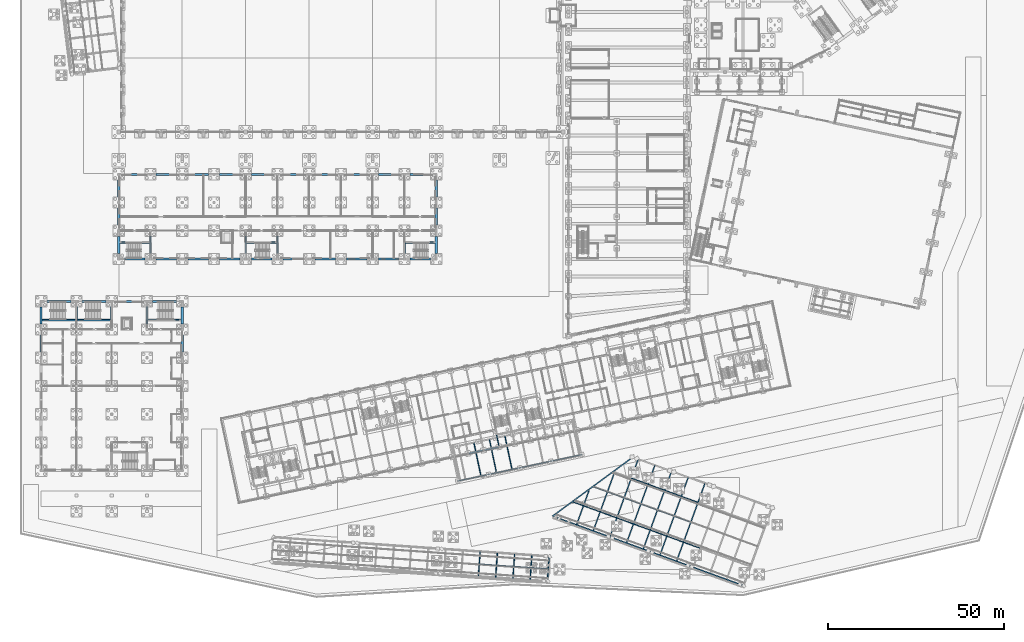
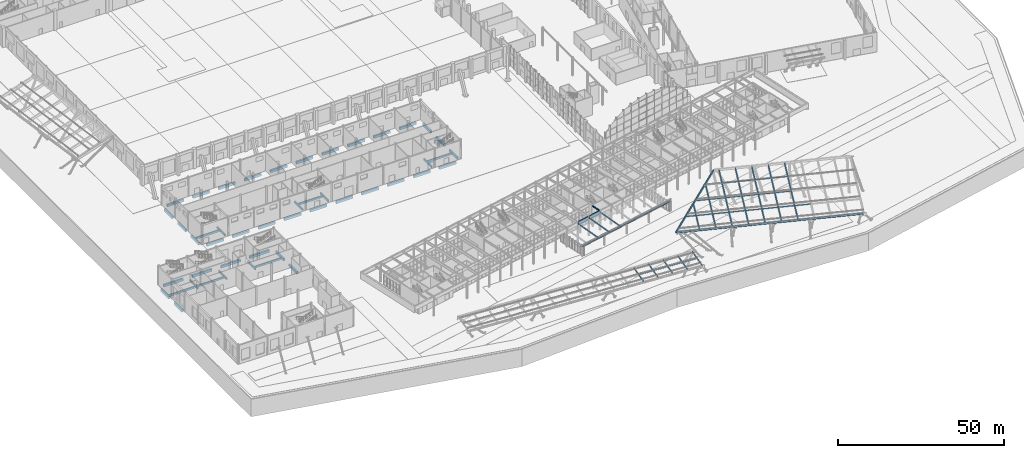
# One storey, part 75 of 239: 90 beams.
"""IFC4 building model written with IfcOpenShell, lengths in metres."""

from ifc_helpers import new_model, si_unit, direction, frame, origin, origin_2d, place, context, subcontext, project, spatial, rectangle, hollow_rectangle, i_section, extrude, material, material_profile, profile_set, type_object, element, save


model = new_model("IFC4")

# Units and contexts
model_context = context("Model", 3, precision=1e-05, world=origin(), true_north=direction((0.0, 1.0)))
body_context = subcontext(model_context, "Body", "Model", "MODEL_VIEW")
ifc_project = project(units=[si_unit("LENGTHUNIT", "METRE"), si_unit("AREAUNIT", "SQUARE_METRE"), si_unit("VOLUMEUNIT", "CUBIC_METRE"), si_unit("PLANEANGLEUNIT", "RADIAN"), si_unit("MASSUNIT", "GRAM", prefix="KILO")], contexts=[model_context])

# Site, building, storey
site_placement = place(None, origin())
site = spatial("IfcSite", under=ifc_project, at=site_placement, CompositionType="ELEMENT")
building_placement = place(site_placement, origin())
building = spatial("IfcBuilding", under=site, at=building_placement, Name="Okhra Congress Centre", CompositionType="ELEMENT")
storey_placement = place(building_placement, origin())
storey = spatial("IfcBuildingStorey", under=building, at=storey_placement, Name="L00", CompositionType="ELEMENT", Elevation=0.0)

# Beams
ifc_material_1 = material(Name="Steel S355J2H", Category="steel")
ifc_material_profile_1 = material_profile(ifc_material_1, hollow_rectangle(XDim=0.300048828125, YDim=0.60009765625, WallThickness=0.01611328125, at=origin_2d()), Name="RHS 600x300x16")
ifc_profile_set_1 = profile_set([ifc_material_profile_1], Name="Steel S355J2H")
beam_type_1 = type_object("IfcBeamType", Name="Canopy edge beam RHS 600x300x16", PredefinedType="BEAM", material=ifc_profile_set_1)
beam_1_placement = place(storey_placement, frame((151.196044921875, 23.025634765625, 5.518310546875), z_axis=(0.939693391825, -0.342018024906, 0.0), x_axis=(0.342018024906, 0.939693391825, 0.0)))
element("IfcBeam", 1, at=beam_1_placement, inside=storey, type_object=beam_type_1, Name="Entrance canopy edge beam S", PredefinedType="BEAM", context=body_context, shape_type="SweptSolid", body=[
    extrude(hollow_rectangle(XDim=0.300048828125, YDim=0.60009765625, WallThickness=0.01611328125, at=origin_2d()), origin(), (0.0, 0.0, 1.0), 57.173095703125),
])
beam_2_placement = place(storey_placement, frame((150.99853515625, 23.09765625, 5.527587890625), z_axis=(0.794522296074, 0.583844595138, 0.166912581218), x_axis=(-0.592151474561, 0.805826675642, 0.0)))
element("IfcBeam", 2, at=beam_2_placement, inside=storey, type_object=beam_type_1, Name="Entrance canopy raking edge beam", PredefinedType="BEAM", context=body_context, shape_type="SweptSolid", body=[
    extrude(hollow_rectangle(XDim=0.300048828125, YDim=0.60009765625, WallThickness=0.01611328125, at=origin_2d()), origin(), (0.0, 0.0, 1.0), 28.645263671875),
])
ifc_material_profile_2 = material_profile(ifc_material_1, hollow_rectangle(XDim=0.199951171875, YDim=0.39990234375, WallThickness=0.012451171875, at=origin_2d()), Name="RHS 400x200x12.5")
ifc_profile_set_2 = profile_set([ifc_material_profile_2], Name="Steel S355J2H")
beam_type_2 = type_object("IfcBeamType", Name="Canopy primary beam RHS 400x200x12.5", PredefinedType="BEAM", material=ifc_profile_set_2)
for number, where, z_axis, x_axis, name in (
    (3, (129.98046875, 6.191650390625, 4.94384765625), (0.069239691269, 0.990131185757, 0.121844573715), (-0.997563841748, 0.069759455532, 0.0), "Covered promenade primary beam 13"),
    (4, (134.868408203125, 5.849853515625, 4.94384765625), (0.069239691269, 0.990131185757, 0.121844573715), (-0.997563841748, 0.069759455532, 0.0), "Covered promenade primary beam 14"),
    (5, (139.756591796875, 5.508056640625, 4.94384765625), (0.069239691269, 0.990131185757, 0.121844573715), (-0.997563841748, 0.069759455532, 0.0), "Covered promenade primary beam 15"),
    (6, (144.64453125, 5.166259765625, 4.94384765625), (0.069239691269, 0.990131185757, 0.121844573715), (-0.997563841748, 0.069759455532, 0.0), "Covered promenade primary beam 16"),
    (7, (149.53271484375, 4.824462890625, 4.94384765625), (0.069239691269, 0.990131185757, 0.121844573715), (-0.997563841748, 0.069759455532, 0.0), "Covered promenade primary beam 17"),
):
    element("IfcBeam", number, at=place(storey_placement, frame(where, z_axis=z_axis, x_axis=x_axis)), inside=storey, type_object=beam_type_2, Name=name, PredefinedType="BEAM", context=body_context, shape_type="SweptSolid", body=[
        extrude(hollow_rectangle(XDim=0.199951171875, YDim=0.39990234375, WallThickness=0.012451171875, at=origin_2d()), origin(), (0.0, 0.0, 1.0), 6.780517578125),
    ])
ifc_material_profile_3 = material_profile(ifc_material_1, hollow_rectangle(XDim=0.300048828125, YDim=0.800048828125, WallThickness=0.02001953125, at=origin_2d()), Name="RHS 800x300x20")
ifc_profile_set_3 = profile_set([ifc_material_profile_3], Name="Steel S355J2H")
beam_type_3 = type_object("IfcBeamType", Name="Canopy primary beam RHS 800x300x20", PredefinedType="BEAM", material=ifc_profile_set_3)
beam_3_placement = place(storey_placement, frame((157.84326171875, 20.776611328125, 5.47314453125), z_axis=(0.335143071019, 0.92083160216, 0.199369712875), x_axis=(-0.939696629579, 0.342009129057, 0.0)))
element("IfcBeam", 8, at=beam_3_placement, inside=storey, type_object=beam_type_3, Name="Entrance canopy primary beam 1", PredefinedType="BEAM", context=body_context, shape_type="SweptSolid", body=[
    extrude(hollow_rectangle(XDim=0.300048828125, YDim=0.800048828125, WallThickness=0.02001953125, at=origin_2d()), origin(), (0.0, 0.0, 1.0), 10.2998046875),
])
beam_4_placement = place(storey_placement, frame((162.570556640625, 19.05615234375, 5.47314453125), z_axis=(0.335153136343, 0.920826833625, 0.199374817055), x_axis=(-0.939692759196, 0.342019763046, 0.0)))
element("IfcBeam", 9, at=beam_4_placement, inside=storey, type_object=beam_type_3, Name="Entrance canopy primary beam 2", PredefinedType="BEAM", context=body_context, shape_type="SweptSolid", body=[
    extrude(hollow_rectangle(XDim=0.300048828125, YDim=0.800048828125, WallThickness=0.02001953125, at=origin_2d()), origin(), (0.0, 0.0, 1.0), 18.00048828125),
])
beam_5_placement = place(storey_placement, frame((167.2978515625, 17.33544921875, 5.47314453125), z_axis=(0.335153265181, 0.920827738927, 0.199370419225), x_axis=(-0.93969282501, 0.342019582225, 0.0)))
element("IfcBeam", 10, at=beam_5_placement, inside=storey, type_object=beam_type_3, Name="Entrance canopy primary beam 3", PredefinedType="BEAM", context=body_context, shape_type="SweptSolid", body=[
    extrude(hollow_rectangle(XDim=0.300048828125, YDim=0.800048828125, WallThickness=0.02001953125, at=origin_2d()), origin(), (0.0, 0.0, 1.0), 23.65478515625),
])
beam_6_placement = place(storey_placement, frame((172.025390625, 15.61474609375, 5.47314453125), z_axis=(0.335150079963, 0.920829308481, 0.199368524456), x_axis=(-0.939694057048, 0.342016197204, 0.0)))
element("IfcBeam", 11, at=beam_6_placement, inside=storey, type_object=beam_type_3, Name="Entrance canopy primary beam 4", PredefinedType="BEAM", context=body_context, shape_type="SweptSolid", body=[
    extrude(hollow_rectangle(XDim=0.300048828125, YDim=0.800048828125, WallThickness=0.02001953125, at=origin_2d()), origin(), (0.0, 0.0, 1.0), 23.655029296875),
])
for number, where, z_axis, x_axis, name in (
    (12, (176.752685546875, 13.894287109375, 5.47314453125), (0.335153265181, 0.920827738927, 0.199370419225), (-0.93969282501, 0.342019582225, 0.0), "Entrance canopy primary beam 5"),
    (13, (181.47998046875, 12.173583984375, 5.47314453125), (0.335153265181, 0.920827738927, 0.199370419225), (-0.93969282501, 0.342019582225, 0.0), "Entrance canopy primary beam 6"),
):
    element("IfcBeam", number, at=place(storey_placement, frame(where, z_axis=z_axis, x_axis=x_axis)), inside=storey, type_object=beam_type_3, Name=name, PredefinedType="BEAM", context=body_context, shape_type="SweptSolid", body=[
        extrude(hollow_rectangle(XDim=0.300048828125, YDim=0.800048828125, WallThickness=0.02001953125, at=origin_2d()), origin(), (0.0, 0.0, 1.0), 23.65478515625),
    ])
beam_7_placement = place(storey_placement, frame((186.20751953125, 10.452880859375, 5.47314453125), z_axis=(0.335150079963, 0.920829308481, 0.199368524456), x_axis=(-0.939694057048, 0.342016197204, 0.0)))
element("IfcBeam", 14, at=beam_7_placement, inside=storey, type_object=beam_type_3, Name="Entrance canopy primary beam 7", PredefinedType="BEAM", context=body_context, shape_type="SweptSolid", body=[
    extrude(hollow_rectangle(XDim=0.300048828125, YDim=0.800048828125, WallThickness=0.02001953125, at=origin_2d()), origin(), (0.0, 0.0, 1.0), 23.655029296875),
])
ifc_material_profile_4 = material_profile(ifc_material_1, hollow_rectangle(XDim=0.14990234375, YDim=0.300048828125, WallThickness=0.008056640625, at=origin_2d()), Name="RHS 300x150x8")
ifc_profile_set_4 = profile_set([ifc_material_profile_4], Name="Steel S355J2H")
beam_type_4 = type_object("IfcBeamType", Name="Canopy secondary beam RHS 300x150x8", PredefinedType="BEAM", material=ifc_profile_set_4)
beam_8_placement = place(storey_placement, frame((156.764892578125, 27.117919921875, 6.853515625), z_axis=(0.939684877283, -0.342041417677, 0.0), x_axis=(0.342041417677, 0.939684877283, 0.0)))
element("IfcBeam", 15, at=beam_8_placement, inside=storey, type_object=beam_type_4, Name="Entrance canopy secondary beam 1", PredefinedType="BEAM", context=body_context, shape_type="SweptSolid", body=[
    extrude(hollow_rectangle(XDim=0.14990234375, YDim=0.300048828125, WallThickness=0.008056640625, at=origin_2d()), origin(), (0.0, 0.0, 1.0), 3.022216796875),
])
for number, where, z_axis, x_axis, name in (
    (16, (159.905517578125, 25.974853515625, 6.853515625), (0.939695024692, -0.342013538577, 0.0), (0.342013538577, 0.939695024692, 0.0), "Entrance canopy secondary beam 2"),
    (17, (164.6328125, 24.254150390625, 6.853515625), (0.939701086749, -0.341996882388, 0.0), (0.341996882388, 0.939701086749, 0.0), "Entrance canopy secondary beam 3"),
):
    element("IfcBeam", number, at=place(storey_placement, frame(where, z_axis=z_axis, x_axis=x_axis)), inside=storey, type_object=beam_type_4, Name=name, PredefinedType="BEAM", context=body_context, shape_type="SweptSolid", body=[
        extrude(hollow_rectangle(XDim=0.14990234375, YDim=0.300048828125, WallThickness=0.008056640625, at=origin_2d()), origin(), (0.0, 0.0, 1.0), 4.710693359375),
    ])
beam_9_placement = place(storey_placement, frame((169.360107421875, 22.53369140625, 6.853515625), z_axis=(0.939684430498, -0.342042645118, 0.0), x_axis=(0.342042645118, 0.939684430498, 0.0)))
element("IfcBeam", 18, at=beam_9_placement, inside=storey, type_object=beam_type_4, Name="Entrance canopy secondary beam 4", PredefinedType="BEAM", context=body_context, shape_type="SweptSolid", body=[
    extrude(hollow_rectangle(XDim=0.14990234375, YDim=0.300048828125, WallThickness=0.008056640625, at=origin_2d()), origin(), (0.0, 0.0, 1.0), 4.7109375),
])
for number, where, z_axis, x_axis, name in (
    (19, (174.087646484375, 20.81298828125, 6.853515625), (0.939695024692, -0.342013538577, 0.0), (0.342013538577, 0.939695024692, 0.0), "Entrance canopy secondary beam 5"),
    (20, (178.81494140625, 19.09228515625, 6.853515625), (0.939701086749, -0.341996882388, 0.0), (0.341996882388, 0.939701086749, 0.0), "Entrance canopy secondary beam 6"),
):
    element("IfcBeam", number, at=place(storey_placement, frame(where, z_axis=z_axis, x_axis=x_axis)), inside=storey, type_object=beam_type_4, Name=name, PredefinedType="BEAM", context=body_context, shape_type="SweptSolid", body=[
        extrude(hollow_rectangle(XDim=0.14990234375, YDim=0.300048828125, WallThickness=0.008056640625, at=origin_2d()), origin(), (0.0, 0.0, 1.0), 4.710693359375),
    ])
beam_10_placement = place(storey_placement, frame((183.542236328125, 17.371826171875, 6.853515625), z_axis=(0.939684430498, -0.342042645118, 0.0), x_axis=(0.342042645118, 0.939684430498, 0.0)))
element("IfcBeam", 21, at=beam_10_placement, inside=storey, type_object=beam_type_4, Name="Entrance canopy secondary beam 7", PredefinedType="BEAM", context=body_context, shape_type="SweptSolid", body=[
    extrude(hollow_rectangle(XDim=0.14990234375, YDim=0.300048828125, WallThickness=0.008056640625, at=origin_2d()), origin(), (0.0, 0.0, 1.0), 4.7109375),
])
beam_11_placement = place(storey_placement, frame((188.269775390625, 15.651123046875, 6.853515625), z_axis=(0.939695024692, -0.342013538577, 0.0), x_axis=(0.342013538577, 0.939695024692, 0.0)))
element("IfcBeam", 22, at=beam_11_placement, inside=storey, type_object=beam_type_4, Name="Entrance canopy secondary beam 8", PredefinedType="BEAM", context=body_context, shape_type="SweptSolid", body=[
    extrude(hollow_rectangle(XDim=0.14990234375, YDim=0.300048828125, WallThickness=0.008056640625, at=origin_2d()), origin(), (0.0, 0.0, 1.0), 4.710693359375),
])
beam_12_placement = place(storey_placement, frame((162.575927734375, 31.387939453125, 8.07421875), z_axis=(0.939684327986, -0.342042926746, 0.0), x_axis=(0.342042926746, 0.939684327986, 0.0)))
element("IfcBeam", 23, at=beam_12_placement, inside=storey, type_object=beam_type_4, Name="Entrance canopy secondary beam 12", PredefinedType="BEAM", context=body_context, shape_type="SweptSolid", body=[
    extrude(hollow_rectangle(XDim=0.14990234375, YDim=0.300048828125, WallThickness=0.008056640625, at=origin_2d()), origin(), (0.0, 0.0, 1.0), 4.052734375),
])
for number, where, z_axis, x_axis, name in (
    (24, (166.684814453125, 29.892333984375, 8.07421875), (0.939701086749, -0.341996882388, 0.0), (0.341996882388, 0.939701086749, 0.0), "Entrance canopy secondary beam 13"),
    (25, (171.412353515625, 28.171875, 8.07421875), (0.939678366926, -0.342059302946, 0.0), (0.342059302946, 0.939678366926, 0.0), "Entrance canopy secondary beam 14"),
):
    element("IfcBeam", number, at=place(storey_placement, frame(where, z_axis=z_axis, x_axis=x_axis)), inside=storey, type_object=beam_type_4, Name=name, PredefinedType="BEAM", context=body_context, shape_type="SweptSolid", body=[
        extrude(hollow_rectangle(XDim=0.14990234375, YDim=0.300048828125, WallThickness=0.008056640625, at=origin_2d()), origin(), (0.0, 0.0, 1.0), 4.710693359375),
    ])
beam_13_placement = place(storey_placement, frame((176.1396484375, 26.451171875, 8.07421875), z_axis=(0.939684430498, -0.342042645118, 0.0), x_axis=(0.342042645118, 0.939684430498, 0.0)))
element("IfcBeam", 26, at=beam_13_placement, inside=storey, type_object=beam_type_4, Name="Entrance canopy secondary beam 15", PredefinedType="BEAM", context=body_context, shape_type="SweptSolid", body=[
    extrude(hollow_rectangle(XDim=0.14990234375, YDim=0.300048828125, WallThickness=0.008056640625, at=origin_2d()), origin(), (0.0, 0.0, 1.0), 4.7109375),
])
for number, where, z_axis, x_axis, name in (
    (27, (180.866943359375, 24.73046875, 8.07421875), (0.939701086749, -0.341996882388, 0.0), (0.341996882388, 0.939701086749, 0.0), "Entrance canopy secondary beam 16"),
    (28, (185.594482421875, 23.009765625, 8.07421875), (0.939695024692, -0.342013538577, 0.0), (0.342013538577, 0.939695024692, 0.0), "Entrance canopy secondary beam 17"),
    (29, (173.46435546875, 33.809814453125, 9.294921875), (0.939701086749, -0.341996882388, 0.0), (0.341996882388, 0.939701086749, 0.0), "Entrance canopy secondary beam 23"),
    (30, (178.19189453125, 32.08935546875, 9.294921875), (0.939678366926, -0.342059302946, 0.0), (0.342059302946, 0.939678366926, 0.0), "Entrance canopy secondary beam 24"),
    (31, (182.919189453125, 30.36865234375, 9.294921875), (0.939701086749, -0.341996882388, 0.0), (0.341996882388, 0.939701086749, 0.0), "Entrance canopy secondary beam 25"),
    (32, (187.646484375, 28.64794921875, 9.294921875), (0.939701086749, -0.341996882388, 0.0), (0.341996882388, 0.939701086749, 0.0), "Entrance canopy secondary beam 26"),
):
    element("IfcBeam", number, at=place(storey_placement, frame(where, z_axis=z_axis, x_axis=x_axis)), inside=storey, type_object=beam_type_4, Name=name, PredefinedType="BEAM", context=body_context, shape_type="SweptSolid", body=[
        extrude(hollow_rectangle(XDim=0.14990234375, YDim=0.300048828125, WallThickness=0.008056640625, at=origin_2d()), origin(), (0.0, 0.0, 1.0), 4.710693359375),
    ])
beam_14_placement = place(storey_placement, frame((130.324951171875, 9.540771484375, 5.399169921875), z_axis=(0.997564560272, -0.06974917985, 0.0), x_axis=(0.06974917985, 0.997564560272, 0.0)))
element("IfcBeam", 33, at=beam_14_placement, inside=storey, type_object=beam_type_4, Name="Covered promenade secondary beam 13", PredefinedType="BEAM", context=body_context, shape_type="SweptSolid", body=[
    extrude(hollow_rectangle(XDim=0.14990234375, YDim=0.300048828125, WallThickness=0.008056640625, at=origin_2d()), origin(), (0.0, 0.0, 1.0), 4.679931640625),
])
beam_15_placement = place(storey_placement, frame((135.212890625, 9.198974609375, 5.399169921875), z_axis=(0.997564814049, -0.069745550195, 0.0), x_axis=(0.069745550195, 0.997564814049, 0.0)))
element("IfcBeam", 34, at=beam_15_placement, inside=storey, type_object=beam_type_4, Name="Covered promenade secondary beam 14", PredefinedType="BEAM", context=body_context, shape_type="SweptSolid", body=[
    extrude(hollow_rectangle(XDim=0.14990234375, YDim=0.300048828125, WallThickness=0.008056640625, at=origin_2d()), origin(), (0.0, 0.0, 1.0), 4.68017578125),
])
beam_16_placement = place(storey_placement, frame((140.10107421875, 8.857177734375, 5.399169921875), z_axis=(0.997564560272, -0.06974917985, 0.0), x_axis=(0.06974917985, 0.997564560272, 0.0)))
element("IfcBeam", 35, at=beam_16_placement, inside=storey, type_object=beam_type_4, Name="Covered promenade secondary beam 15", PredefinedType="BEAM", context=body_context, shape_type="SweptSolid", body=[
    extrude(hollow_rectangle(XDim=0.14990234375, YDim=0.300048828125, WallThickness=0.008056640625, at=origin_2d()), origin(), (0.0, 0.0, 1.0), 4.679931640625),
])
beam_17_placement = place(storey_placement, frame((144.989013671875, 8.515380859375, 5.399169921875), z_axis=(0.997564814049, -0.069745550195, 0.0), x_axis=(0.069745550195, 0.997564814049, 0.0)))
element("IfcBeam", 36, at=beam_17_placement, inside=storey, type_object=beam_type_4, Name="Covered promenade secondary beam 16", PredefinedType="BEAM", context=body_context, shape_type="SweptSolid", body=[
    extrude(hollow_rectangle(XDim=0.14990234375, YDim=0.300048828125, WallThickness=0.008056640625, at=origin_2d()), origin(), (0.0, 0.0, 1.0), 4.68017578125),
])
ifc_material_2 = material(Name="Steel S355J2", Category="steel")
ifc_material_profile_5 = material_profile(ifc_material_2, i_section(OverallWidth=0.179931640625, OverallDepth=0.39990234375, WebThickness=0.008544921875, FlangeThickness=0.013427734375, FilletRadius=0.02099609375, at=origin_2d()), Name="IPE 400")
ifc_profile_set_5 = profile_set([ifc_material_profile_5], Name="Steel S355J2")
beam_type_5 = type_object("IfcBeamType", Name="Floor beam stub IPE 400", PredefinedType="BEAM", material=ifc_profile_set_5)
beam_18_placement = place(storey_placement, frame((135.797607421875, 42.91015625, 6.85009765625), z_axis=(-0.20785875582, 0.978158850918, 0.0), x_axis=(-0.978158850918, -0.20785875582, 0.0)))
element("IfcBeam", 37, at=beam_18_placement, inside=storey, type_object=beam_type_5, Name="Floor beam 17.1", PredefinedType="BEAM", context=body_context, shape_type="SweptSolid", body=[
    extrude(i_section(OverallWidth=0.179931640625, OverallDepth=0.39990234375, WebThickness=0.008544921875, FlangeThickness=0.013427734375, FilletRadius=0.02099609375, at=origin_2d()), origin(), (0.0, 0.0, 1.0), 3.1748046875),
])
ifc_material_profile_6 = material_profile(ifc_material_2, i_section(OverallWidth=0.39990234375, OverallDepth=1.199951171875, WebThickness=0.02490234375, FlangeThickness=0.050048828125, at=origin_2d()), Name="Plate girder 1200x400")
ifc_profile_set_6 = profile_set([ifc_material_profile_6], Name="Steel S355J2")
beam_type_6 = type_object("IfcBeamType", Name="Perimeter plate girder 1200x400", PredefinedType="BEAM", material=ifc_profile_set_6)
for number, where, z_axis, x_axis, name in (
    (38, (127.284423828125, 40.89599609375, 6.449951171875), (0.978142994281, 0.207933361295, 0.0), (-0.207933361295, 0.978142994281, 0.0), "Perimeter girder S13"),
    (39, (131.68603515625, 41.831787109375, 6.449951171875), (0.978155431297, 0.207874847504, 0.0), (-0.207874847504, 0.978155431297, 0.0), "Perimeter girder S14"),
):
    element("IfcBeam", number, at=place(storey_placement, frame(where, z_axis=z_axis, x_axis=x_axis)), inside=storey, type_object=beam_type_6, Name=name, PredefinedType="BEAM", context=body_context, shape_type="SweptSolid", body=[
        extrude(i_section(OverallWidth=0.39990234375, OverallDepth=1.199951171875, WebThickness=0.02490234375, FlangeThickness=0.050048828125, at=origin_2d()), origin(), (0.0, 0.0, 1.0), 3.991943359375),
    ])
ifc_material_profile_7 = material_profile(ifc_material_2, i_section(OverallWidth=0.300048828125, OverallDepth=0.2900390625, WebThickness=0.008544921875, FlangeThickness=0.013916015625, FilletRadius=0.027099609375, at=origin_2d()), Name="HE 300 A")
ifc_profile_set_7 = profile_set([ifc_material_profile_7], Name="Steel S355J2")
beam_type_7 = type_object("IfcBeamType", Name="Porch edge beam HE 300 A", PredefinedType="BEAM", material=ifc_profile_set_7)
beam_19_placement = place(storey_placement, frame((124.089599609375, 33.060546875, 3.6259765625), z_axis=(0.97814743953, 0.207912449222, 0.0), x_axis=(-0.207912449222, 0.97814743953, 0.0)))
element("IfcBeam", 40, at=beam_19_placement, inside=storey, type_object=beam_type_7, Name="Porch edge beam S", PredefinedType="BEAM", context=body_context, shape_type="SweptSolid", body=[
    extrude(i_section(OverallWidth=0.300048828125, OverallDepth=0.2900390625, WebThickness=0.008544921875, FlangeThickness=0.013916015625, FilletRadius=0.027099609375, at=origin_2d()), origin(), (0.0, 0.0, 1.0), 36.0),
])
ifc_material_profile_8 = material_profile(ifc_material_2, i_section(OverallWidth=0.179931640625, OverallDepth=0.39990234375, WebThickness=0.008544921875, FlangeThickness=0.013427734375, FilletRadius=0.02099609375, at=origin_2d()), Name="IPE 400")
ifc_profile_set_8 = profile_set([ifc_material_profile_8], Name="Steel S355J2")
beam_type_8 = type_object("IfcBeamType", Name="Porch roof beam IPE 400", PredefinedType="BEAM", material=ifc_profile_set_8)
for number, where, z_axis, x_axis, name in (
    (41, (130.660888671875, 34.61083984375, 3.57861328125), (-0.207624405442, 0.976807337082, 0.052340543433), (-0.978148090206, -0.207909388017, 0.0), "Porch roof beam 2"),
    (42, (135.062744140625, 35.54638671875, 3.57861328125), (-0.207649223999, 0.976802076571, 0.052340261558), (-0.978142808003, -0.207934237563, 0.0), "Porch roof beam 3"),
    (43, (139.46435546875, 36.48193359375, 3.57861328125), (-0.207624405442, 0.976807337082, 0.052340543433), (-0.978148090206, -0.207909388017, 0.0), "Porch roof beam 4"),
):
    element("IfcBeam", number, at=place(storey_placement, frame(where, z_axis=z_axis, x_axis=x_axis)), inside=storey, type_object=beam_type_8, Name=name, PredefinedType="BEAM", context=body_context, shape_type="SweptSolid", body=[
        extrude(i_section(OverallWidth=0.179931640625, OverallDepth=0.39990234375, WebThickness=0.008544921875, FlangeThickness=0.013427734375, FilletRadius=0.02099609375, at=origin_2d()), origin(), (0.0, 0.0, 1.0), 9.412841796875),
    ])
ifc_material_3 = material(Name="Concrete C30/37", Category="concrete")
ifc_material_profile_9 = material_profile(ifc_material_3, rectangle(XDim=0.39990234375, YDim=0.699951171875, at=origin_2d()), Name="RC 400x700")
ifc_profile_set_9 = profile_set([ifc_material_profile_9], Name="Concrete C30/37")
beam_type_9 = type_object("IfcBeamType", Name="RC ground beam 400x700 C30/37", PredefinedType="BEAM", material=ifc_profile_set_9)
for number, where, z_axis, x_axis, name in (
    (44, (37.0, 97.60009765625, -0.85009765625), (0.0, 1.0, 0.0), (-1.0, 0.0, 0.0), "SV.BEAM.L00.27"),
    (45, (64.0, 97.60009765625, -0.85009765625), (0.0, 1.0, 0.0), (-1.0, 0.0, 0.0), "SV.BEAM.L00.28"),
    (46, (109.0, 97.60009765625, -0.85009765625), (0.0, 1.0, 0.0), (-1.0, 0.0, 0.0), "SV.BEAM.L00.29"),
):
    element("IfcBeam", number, at=place(storey_placement, frame(where, z_axis=z_axis, x_axis=x_axis)), inside=storey, type_object=beam_type_9, Name=name, PredefinedType="BEAM", context=body_context, shape_type="SweptSolid", body=[
        extrude(rectangle(XDim=0.39990234375, YDim=0.699951171875, at=origin_2d()), origin(), (0.0, 0.0, 1.0), 4.7998046875),
    ])
beam_20_placement = place(storey_placement, frame((28.300048828125, 100.72509765625, -0.85009765625), z_axis=(1.0, 0.0, 0.0), x_axis=(0.0, 1.0, 0.0)))
element("IfcBeam", 47, at=beam_20_placement, inside=storey, type_object=beam_type_9, Name="SV.BEAM.L00.30", PredefinedType="BEAM", context=body_context, shape_type="SweptSolid", body=[
    extrude(rectangle(XDim=0.39990234375, YDim=0.699951171875, at=origin_2d()), origin(), (0.0, 0.0, 1.0), 8.5),
])
beam_21_placement = place(storey_placement, frame((64.199951171875, 100.72509765625, -0.85009765625), z_axis=(1.0, 0.0, 0.0), x_axis=(0.0, 1.0, 0.0)))
element("IfcBeam", 48, at=beam_21_placement, inside=storey, type_object=beam_type_9, Name="SV.BEAM.L00.31", PredefinedType="BEAM", context=body_context, shape_type="SweptSolid", body=[
    extrude(rectangle(XDim=0.39990234375, YDim=0.699951171875, at=origin_2d()), origin(), (0.0, 0.0, 1.0), 8.60009765625),
])
beam_22_placement = place(storey_placement, frame((109.199951171875, 100.72509765625, -0.85009765625), z_axis=(1.0, 0.0, 0.0), x_axis=(0.0, 1.0, 0.0)))
element("IfcBeam", 49, at=beam_22_placement, inside=storey, type_object=beam_type_9, Name="SV.BEAM.L00.32", PredefinedType="BEAM", context=body_context, shape_type="SweptSolid", body=[
    extrude(rectangle(XDim=0.39990234375, YDim=0.699951171875, at=origin_2d()), origin(), (0.0, 0.0, 1.0), 8.5),
])
beam_23_placement = place(storey_placement, frame((73.0, 97.60009765625, -0.85009765625), z_axis=(0.0, 1.0, 0.0), x_axis=(-1.0, 0.0, 0.0)))
element("IfcBeam", 50, at=beam_23_placement, inside=storey, type_object=beam_type_9, Name="SV.BEAM.L00.33", PredefinedType="BEAM", context=body_context, shape_type="SweptSolid", body=[
    extrude(rectangle(XDim=0.39990234375, YDim=0.699951171875, at=origin_2d()), origin(), (0.0, 0.0, 1.0), 4.7998046875),
])
beam_24_placement = place(storey_placement, frame((6.300048828125, 78.675048828125, -0.85009765625), z_axis=(1.0, 0.0, 0.0), x_axis=(0.0, 1.0, 0.0)))
element("IfcBeam", 51, at=beam_24_placement, inside=storey, type_object=beam_type_9, Name="RS.BEAM.L00.21", PredefinedType="BEAM", context=body_context, shape_type="SweptSolid", body=[
    extrude(rectangle(XDim=0.39990234375, YDim=0.699951171875, at=origin_2d()), origin(), (0.0, 0.0, 1.0), 9.5),
])
beam_25_placement = place(storey_placement, frame((16.199951171875, 78.675048828125, -0.85009765625), z_axis=(1.0, 0.0, 0.0), x_axis=(0.0, 1.0, 0.0)))
element("IfcBeam", 52, at=beam_25_placement, inside=storey, type_object=beam_type_9, Name="RS.BEAM.L00.22", PredefinedType="BEAM", context=body_context, shape_type="SweptSolid", body=[
    extrude(rectangle(XDim=0.39990234375, YDim=0.699951171875, at=origin_2d()), origin(), (0.0, 0.0, 1.0), 9.60009765625),
])
beam_26_placement = place(storey_placement, frame((36.199951171875, 78.675048828125, -0.85009765625), z_axis=(1.0, 0.0, 0.0), x_axis=(0.0, 1.0, 0.0)))
element("IfcBeam", 53, at=beam_26_placement, inside=storey, type_object=beam_type_9, Name="RS.BEAM.L00.23", PredefinedType="BEAM", context=body_context, shape_type="SweptSolid", body=[
    extrude(rectangle(XDim=0.39990234375, YDim=0.699951171875, at=origin_2d()), origin(), (0.0, 0.0, 1.0), 9.5),
])
for number, where, z_axis, x_axis, name in (
    (54, (16.0, 77.60009765625, -0.85009765625), (0.0, 1.0, 0.0), (-1.0, 0.0, 0.0), "RS.BEAM.L00.24"),
    (55, (26.0, 77.60009765625, -0.85009765625), (0.0, 1.0, 0.0), (-1.0, 0.0, 0.0), "RS.BEAM.L00.25"),
    (56, (36.0, 77.60009765625, -0.85009765625), (0.0, 1.0, 0.0), (-1.0, 0.0, 0.0), "RS.BEAM.L00.26"),
):
    element("IfcBeam", number, at=place(storey_placement, frame(where, z_axis=z_axis, x_axis=x_axis)), inside=storey, type_object=beam_type_9, Name=name, PredefinedType="BEAM", context=body_context, shape_type="SweptSolid", body=[
        extrude(rectangle(XDim=0.39990234375, YDim=0.699951171875, at=origin_2d()), origin(), (0.0, 0.0, 1.0), 4.7998046875),
    ])
ifc_material_profile_10 = material_profile(ifc_material_3, rectangle(XDim=0.60009765625, YDim=0.89990234375, at=origin_2d()), Name="RC 600x900")
ifc_profile_set_10 = profile_set([ifc_material_profile_10], Name="Concrete C30/37")
beam_type_10 = type_object("IfcBeamType", Name="RC ground beam 600x900 C30/37", PredefinedType="BEAM", material=ifc_profile_set_10)
for number, where, z_axis, x_axis, name in (
    (57, (29.60009765625, 96.0, -0.85009765625), (1.0, 0.0, 0.0), (0.0, 1.0, 0.0), "SV.BEAM.L00.1"),
    (58, (38.60009765625, 96.0, -0.85009765625), (1.0, 0.0, 0.0), (0.0, 1.0, 0.0), "SV.BEAM.L00.2"),
    (59, (47.60009765625, 96.0, -0.85009765625), (1.0, 0.0, 0.0), (0.0, 1.0, 0.0), "SV.BEAM.L00.3"),
    (60, (56.60009765625, 96.0, -0.85009765625), (1.0, 0.0, 0.0), (0.0, 1.0, 0.0), "SV.BEAM.L00.4"),
    (61, (65.60009765625, 96.0, -0.85009765625), (1.0, 0.0, 0.0), (0.0, 1.0, 0.0), "SV.BEAM.L00.5"),
    (62, (74.60009765625, 96.0, -0.85009765625), (1.0, 0.0, 0.0), (0.0, 1.0, 0.0), "SV.BEAM.L00.6"),
    (63, (83.60009765625, 96.0, -0.85009765625), (1.0, 0.0, 0.0), (0.0, 1.0, 0.0), "SV.BEAM.L00.7"),
    (64, (92.60009765625, 96.0, -0.85009765625), (1.0, 0.0, 0.0), (0.0, 1.0, 0.0), "SV.BEAM.L00.8"),
    (65, (101.60009765625, 96.0, -0.85009765625), (1.0, 0.0, 0.0), (0.0, 1.0, 0.0), "SV.BEAM.L00.9"),
    (66, (110.60009765625, 96.0, -0.85009765625), (1.0, 0.0, 0.0), (0.0, 1.0, 0.0), "SV.BEAM.L00.10"),
    (67, (29.60009765625, 120.0, -0.85009765625), (1.0, 0.0, 0.0), (0.0, 1.0, 0.0), "SV.BEAM.L00.11"),
    (68, (38.60009765625, 120.0, -0.85009765625), (1.0, 0.0, 0.0), (0.0, 1.0, 0.0), "SV.BEAM.L00.12"),
    (69, (47.60009765625, 120.0, -0.85009765625), (1.0, 0.0, 0.0), (0.0, 1.0, 0.0), "SV.BEAM.L00.13"),
    (70, (56.60009765625, 120.0, -0.85009765625), (1.0, 0.0, 0.0), (0.0, 1.0, 0.0), "SV.BEAM.L00.14"),
    (71, (65.60009765625, 120.0, -0.85009765625), (1.0, 0.0, 0.0), (0.0, 1.0, 0.0), "SV.BEAM.L00.15"),
    (72, (74.60009765625, 120.0, -0.85009765625), (1.0, 0.0, 0.0), (0.0, 1.0, 0.0), "SV.BEAM.L00.16"),
    (73, (83.60009765625, 120.0, -0.85009765625), (1.0, 0.0, 0.0), (0.0, 1.0, 0.0), "SV.BEAM.L00.17"),
    (74, (92.60009765625, 120.0, -0.85009765625), (1.0, 0.0, 0.0), (0.0, 1.0, 0.0), "SV.BEAM.L00.18"),
    (75, (101.60009765625, 120.0, -0.85009765625), (1.0, 0.0, 0.0), (0.0, 1.0, 0.0), "SV.BEAM.L00.19"),
    (76, (110.60009765625, 120.0, -0.85009765625), (1.0, 0.0, 0.0), (0.0, 1.0, 0.0), "SV.BEAM.L00.20"),
):
    element("IfcBeam", number, at=place(storey_placement, frame(where, z_axis=z_axis, x_axis=x_axis)), inside=storey, type_object=beam_type_10, Name=name, PredefinedType="BEAM", context=body_context, shape_type="SweptSolid", body=[
        extrude(rectangle(XDim=0.60009765625, YDim=0.89990234375, at=origin_2d()), origin(), (0.0, 0.0, 1.0), 5.7998046875),
    ])
for number, where, z_axis, x_axis, name in (
    (77, (28.0, 97.60009765625, -0.85009765625), (0.0, 1.0, 0.0), (-1.0, 0.0, 0.0), "SV.BEAM.L00.21"),
    (78, (28.0, 105.60009765625, -0.85009765625), (0.0, 1.0, 0.0), (-1.0, 0.0, 0.0), "SV.BEAM.L00.22"),
    (79, (28.0, 113.60009765625, -0.85009765625), (0.0, 1.0, 0.0), (-1.0, 0.0, 0.0), "SV.BEAM.L00.23"),
    (80, (118.0, 97.60009765625, -0.85009765625), (0.0, 1.0, 0.0), (-1.0, 0.0, 0.0), "SV.BEAM.L00.24"),
    (81, (118.0, 105.60009765625, -0.85009765625), (0.0, 1.0, 0.0), (-1.0, 0.0, 0.0), "SV.BEAM.L00.25"),
    (82, (118.0, 113.60009765625, -0.85009765625), (0.0, 1.0, 0.0), (-1.0, 0.0, 0.0), "SV.BEAM.L00.26"),
):
    element("IfcBeam", number, at=place(storey_placement, frame(where, z_axis=z_axis, x_axis=x_axis)), inside=storey, type_object=beam_type_10, Name=name, PredefinedType="BEAM", context=body_context, shape_type="SweptSolid", body=[
        extrude(rectangle(XDim=0.60009765625, YDim=0.89990234375, at=origin_2d()), origin(), (0.0, 0.0, 1.0), 4.7998046875),
    ])
for number, where, z_axis, x_axis, name in (
    (83, (7.60009765625, 84.0, -0.85009765625), (1.0, 0.0, 0.0), (0.0, 1.0, 0.0), "RS.BEAM.L00.5"),
    (84, (17.60009765625, 84.0, -0.85009765625), (1.0, 0.0, 0.0), (0.0, 1.0, 0.0), "RS.BEAM.L00.6"),
    (85, (27.60009765625, 84.0, -0.85009765625), (1.0, 0.0, 0.0), (0.0, 1.0, 0.0), "RS.BEAM.L00.7"),
    (86, (37.60009765625, 84.0, -0.85009765625), (1.0, 0.0, 0.0), (0.0, 1.0, 0.0), "RS.BEAM.L00.8"),
):
    element("IfcBeam", number, at=place(storey_placement, frame(where, z_axis=z_axis, x_axis=x_axis)), inside=storey, type_object=beam_type_10, Name=name, PredefinedType="BEAM", context=body_context, shape_type="SweptSolid", body=[
        extrude(rectangle(XDim=0.60009765625, YDim=0.89990234375, at=origin_2d()), origin(), (0.0, 0.0, 1.0), 6.7998046875),
    ])
for number, where, z_axis, x_axis, name in (
    (87, (6.0, 69.60009765625, -0.85009765625), (0.0, 1.0, 0.0), (-1.0, 0.0, 0.0), "RS.BEAM.L00.13"),
    (88, (6.0, 77.60009765625, -0.85009765625), (0.0, 1.0, 0.0), (-1.0, 0.0, 0.0), "RS.BEAM.L00.14"),
    (89, (46.0, 69.60009765625, -0.85009765625), (0.0, 1.0, 0.0), (-1.0, 0.0, 0.0), "RS.BEAM.L00.19"),
    (90, (46.0, 77.60009765625, -0.85009765625), (0.0, 1.0, 0.0), (-1.0, 0.0, 0.0), "RS.BEAM.L00.20"),
):
    element("IfcBeam", number, at=place(storey_placement, frame(where, z_axis=z_axis, x_axis=x_axis)), inside=storey, type_object=beam_type_10, Name=name, PredefinedType="BEAM", context=body_context, shape_type="SweptSolid", body=[
        extrude(rectangle(XDim=0.60009765625, YDim=0.89990234375, at=origin_2d()), origin(), (0.0, 0.0, 1.0), 4.7998046875),
    ])

save(model, "model.ifc")
